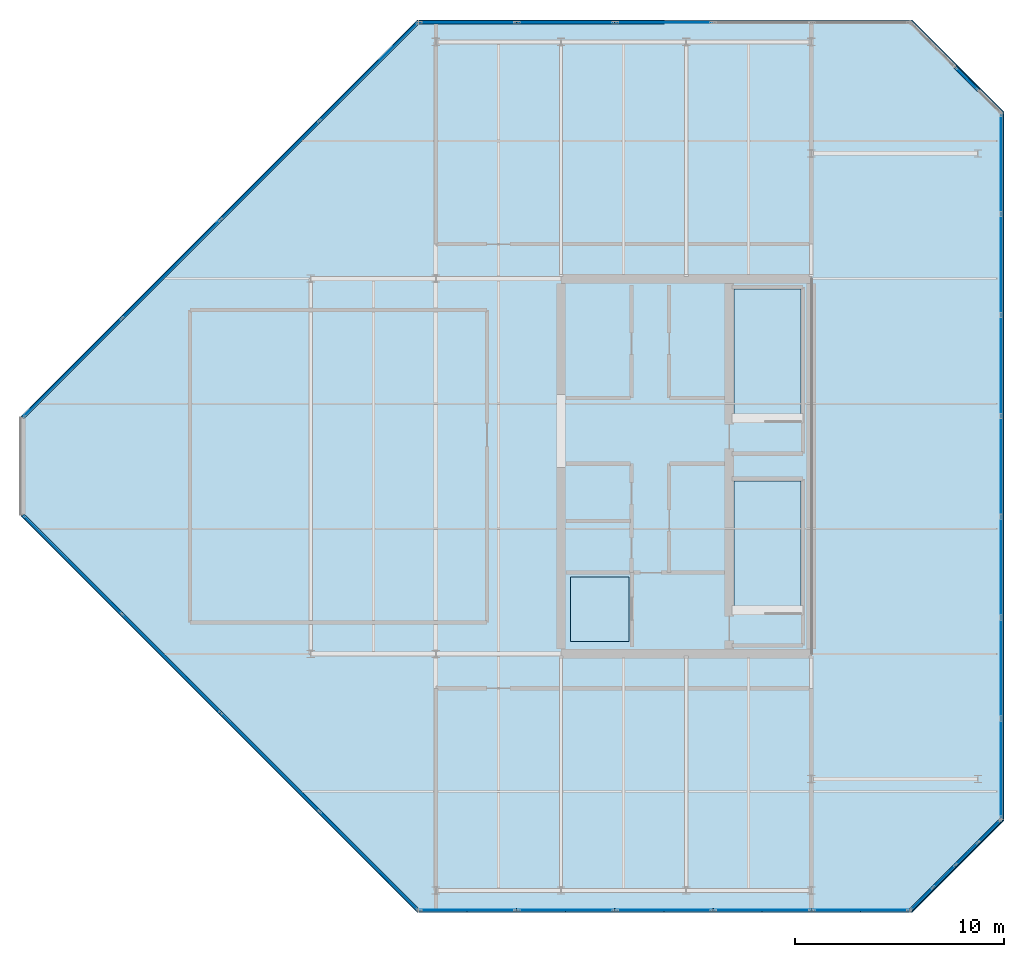
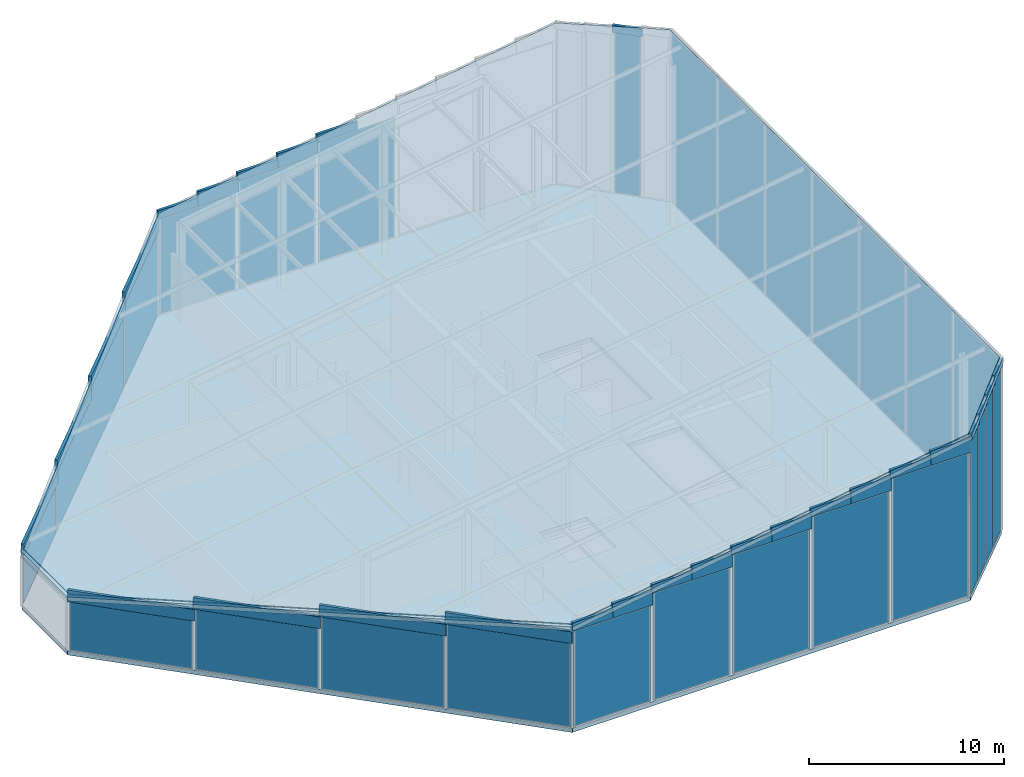
# One storey, part 22 of 30: 57 plates, 2 slabs, 22 elements without a shape of their own.
"""IFC4 building model written with IfcOpenShell, lengths in metres."""

from ifc_helpers import new_model, si_unit, direction, frame, origin, origin_2d, place, context, subcontext, project, spatial, polyline, rectangle, outline, extrude, material, layer, layer_set, type_object, element, aggregate, save


model = new_model("IFC4")

# Units and contexts
model_context = context("Model", 3, precision=1e-05, world=origin(), true_north=direction((0.0, 1.0)))
body_context = subcontext(model_context, "Body", "Model", "MODEL_VIEW")
ifc_project = project(units=[si_unit("LENGTHUNIT", "METRE"), si_unit("AREAUNIT", "SQUARE_METRE"), si_unit("VOLUMEUNIT", "CUBIC_METRE"), si_unit("PLANEANGLEUNIT", "RADIAN"), si_unit("MASSUNIT", "GRAM", prefix="KILO")], contexts=[model_context])

# Site, building, storey
site_placement = place(None, origin())
site = spatial("IfcSite", under=ifc_project, at=site_placement, CompositionType="ELEMENT")
building_placement = place(site_placement, origin())
building = spatial("IfcBuilding", under=site, at=building_placement, Name="Tanjung Sevakor Pilgrim Tower", CompositionType="ELEMENT")
storey_placement = place(building_placement, frame((0.0, 0.0, 287.760009765625)))
storey = spatial("IfcBuildingStorey", under=building, at=storey_placement, Name="L80", CompositionType="ELEMENT", Elevation=287.760009765625)

# Slabs
ifc_material_1 = material(Name="Concrete C40/50", Category="concrete")
ifc_layer_1 = layer(ifc_material_1, 0.280029296875)
ifc_layer_set_1 = layer_set([ifc_layer_1], Name="RF-EPEAK-280")
slab_type_1 = type_object("IfcSlabType", Name="RF-EPEAK-280", PredefinedType="ROOF", material=ifc_layer_set_1)
slab_1_placement = place(storey_placement, frame((71.10009765625, 12.199951171875, 6.425048828125), z_axis=(-0.155212883754, 0.0, 0.987881045833), x_axis=(0.987881045833, 0.0, 0.155212883754)))
element("IfcSlab", 1, at=slab_1_placement, inside=storey, type_object=slab_type_1, Name="East Peak Sloped Crown Roof Slab", PredefinedType="ROOF", context=body_context, shape_type="SweptSolid", body=[
    extrude(outline(polyline([(0.0, 0.0), (23.990688336740035, 0.0), (28.444583623556372, 4.400146484374999), (28.444583623556372, 38.40014648437499), (23.990688336740035, 42.80004882812499), (0.0, 42.80004882812499), (-19.233067002098085, 23.800048828124996), (-19.233067002098085, 18.999999999999996), (0.0, 0.0)])), origin(), (0.0, 0.0, -1.0), 0.280029296875),
])
ifc_material_2 = material(Name="Concrete C40/50", Category="concrete")
ifc_layer_2 = layer(ifc_material_2, 0.260009765625)
ifc_layer_set_2 = layer_set([ifc_layer_2], Name="SL-CRN-260")
slab_type_2 = type_object("IfcSlabType", Name="SL-CRN-260", PredefinedType="FLOOR", material=ifc_layer_set_2)
slab_2_placement = place(storey_placement, frame((0.0, 0.0, -0.260009765625)))
element("IfcSlab", 2, at=slab_2_placement, inside=storey, type_object=slab_type_2, Name="L80 Floor Slab EAST", PredefinedType="FLOOR", context=body_context, shape_type="SweptSolid", body=[
    extrude(outline(polyline([(71.14697265625, 12.280029296875), (94.753173828125, 12.280029296875), (99.1201171875, 16.64697265625), (99.1201171875, 50.552978515625), (94.753173828125, 54.919921875), (71.14697265625, 54.919921875), (52.179931640625, 35.953125), (52.179931640625, 31.246826171875), (71.14697265625, 12.280029296875)]), holes=[polyline([(89.5, 26.60009765625), (89.5, 32.89990234375), (86.300048828125, 32.89990234375), (86.300048828125, 26.60009765625), (89.5, 26.60009765625)]), polyline([(89.5, 35.800048828125), (89.5, 42.10009765625), (86.300048828125, 42.10009765625), (86.300048828125, 35.800048828125), (89.5, 35.800048828125)]), polyline([(78.449951171875, 25.199951171875), (81.25, 25.199951171875), (81.25, 28.300048828125), (78.449951171875, 28.300048828125), (78.449951171875, 25.199951171875)])]), origin(), (0.0, 0.0, 1.0), 0.260009765625),
])

# Plates
ifc_material_3 = material(Name="Laminated Solar-Control Roof Glazing", Category="glass")
ifc_layer_3 = layer(ifc_material_3, 0.044921875)
ifc_layer_set_3 = layer_set([ifc_layer_3], Name="TYPE-CRN-GLZROOF")
plate_type_1 = type_object("IfcPlateType", Name="TYPE-CRN-GLZROOF", PredefinedType="USERDEFINED", material=ifc_layer_set_3)
plate_1_placement = place(storey_placement, frame((72.343994140625, 12.31005859375, 6.10546875), z_axis=(0.0, 0.0, 1.0), x_axis=(1.0, 0.0, 0.0)))
element("IfcPlate", 3, at=plate_1_placement, inside=storey, type_object=plate_type_1, Name="L80 Sloped Glass Gable Panel 0-1-1", ObjectType="ROOF_GLAZING", PredefinedType="USERDEFINED", context=body_context, shape_type="SweptSolid", body=[
    extrude(rectangle(XDim=2.39697265625, YDim=0.159912109375, at=origin_2d()), origin(), (0.0, 0.0, 1.0), 0.53515625),
])
plate_2_placement = place(storey_placement, frame((74.700927734375, 12.31005859375, 6.10546875), z_axis=(0.0, 0.0, 1.0), x_axis=(1.0, 0.0, 0.0)))
element("IfcPlate", 4, at=plate_2_placement, inside=storey, type_object=plate_type_1, Name="L80 Sloped Glass Gable Panel 0-1-2", ObjectType="ROOF_GLAZING", PredefinedType="USERDEFINED", context=body_context, shape_type="SweptSolid", body=[
    extrude(rectangle(XDim=2.39697265625, YDim=0.159912109375, at=origin_2d()), origin(), (0.0, 0.0, 1.0), 0.905517578125),
])
plate_3_placement = place(storey_placement, frame((77.057861328125, 12.31005859375, 6.845947265625), z_axis=(0.0, 0.0, 1.0), x_axis=(1.0, 0.0, 0.0)))
element("IfcPlate", 5, at=plate_3_placement, inside=storey, type_object=plate_type_1, Name="L80 Sloped Glass Gable Panel 0-2-1", ObjectType="ROOF_GLAZING", PredefinedType="USERDEFINED", context=body_context, shape_type="SweptSolid", body=[
    extrude(rectangle(XDim=2.39697265625, YDim=0.159912109375, at=origin_2d()), origin(), (0.0, 0.0, 1.0), 0.53515625),
])
plate_4_placement = place(storey_placement, frame((79.414794921875, 12.31005859375, 6.84619140625), z_axis=(0.0, 0.0, 1.0), x_axis=(1.0, 0.0, 0.0)))
element("IfcPlate", 6, at=plate_4_placement, inside=storey, type_object=plate_type_1, Name="L80 Sloped Glass Gable Panel 0-2-2", ObjectType="ROOF_GLAZING", PredefinedType="USERDEFINED", context=body_context, shape_type="SweptSolid", body=[
    extrude(rectangle(XDim=2.39697265625, YDim=0.159912109375, at=origin_2d()), origin(), (0.0, 0.0, 1.0), 0.905517578125),
])
plate_5_placement = place(storey_placement, frame((81.771484375, 12.31005859375, 7.586669921875), z_axis=(0.0, 0.0, 1.0), x_axis=(1.0, 0.0, 0.0)))
element("IfcPlate", 7, at=plate_5_placement, inside=storey, type_object=plate_type_1, Name="L80 Sloped Glass Gable Panel 0-3-1", ObjectType="ROOF_GLAZING", PredefinedType="USERDEFINED", context=body_context, shape_type="SweptSolid", body=[
    extrude(rectangle(XDim=2.39697265625, YDim=0.159912109375, at=origin_2d()), origin(), (0.0, 0.0, 1.0), 0.53515625),
])
plate_6_placement = place(storey_placement, frame((84.12841796875, 12.31005859375, 7.58642578125), z_axis=(0.0, 0.0, 1.0), x_axis=(1.0, 0.0, 0.0)))
element("IfcPlate", 8, at=plate_6_placement, inside=storey, type_object=plate_type_1, Name="L80 Sloped Glass Gable Panel 0-3-2", ObjectType="ROOF_GLAZING", PredefinedType="USERDEFINED", context=body_context, shape_type="SweptSolid", body=[
    extrude(rectangle(XDim=2.39697265625, YDim=0.159912109375, at=origin_2d()), origin(), (0.0, 0.0, 1.0), 0.905517578125),
])
plate_7_placement = place(storey_placement, frame((86.4853515625, 12.31005859375, 8.3271484375), z_axis=(0.0, 0.0, 1.0), x_axis=(1.0, 0.0, 0.0)))
element("IfcPlate", 9, at=plate_7_placement, inside=storey, type_object=plate_type_1, Name="L80 Sloped Glass Gable Panel 0-4-1", ObjectType="ROOF_GLAZING", PredefinedType="USERDEFINED", context=body_context, shape_type="SweptSolid", body=[
    extrude(rectangle(XDim=2.39697265625, YDim=0.159912109375, at=origin_2d()), origin(), (0.0, 0.0, 1.0), 0.53515625),
])
plate_8_placement = place(storey_placement, frame((88.84228515625, 12.31005859375, 8.3271484375), z_axis=(0.0, 0.0, 1.0), x_axis=(1.0, 0.0, 0.0)))
element("IfcPlate", 10, at=plate_8_placement, inside=storey, type_object=plate_type_1, Name="L80 Sloped Glass Gable Panel 0-4-2", ObjectType="ROOF_GLAZING", PredefinedType="USERDEFINED", context=body_context, shape_type="SweptSolid", body=[
    extrude(rectangle(XDim=2.39697265625, YDim=0.159912109375, at=origin_2d()), origin(), (0.0, 0.0, 1.0), 0.905517578125),
])
plate_9_placement = place(storey_placement, frame((91.19921875, 12.31005859375, 9.06787109375), z_axis=(0.0, 0.0, 1.0), x_axis=(1.0, 0.0, 0.0)))
element("IfcPlate", 11, at=plate_9_placement, inside=storey, type_object=plate_type_1, Name="L80 Sloped Glass Gable Panel 0-5-1", ObjectType="ROOF_GLAZING", PredefinedType="USERDEFINED", context=body_context, shape_type="SweptSolid", body=[
    extrude(rectangle(XDim=2.39697265625, YDim=0.159912109375, at=origin_2d()), origin(), (0.0, 0.0, 1.0), 0.53515625),
])
plate_10_placement = place(storey_placement, frame((93.555908203125, 12.31005859375, 9.06787109375), z_axis=(0.0, 0.0, 1.0), x_axis=(1.0, 0.0, 0.0)))
element("IfcPlate", 12, at=plate_10_placement, inside=storey, type_object=plate_type_1, Name="L80 Sloped Glass Gable Panel 0-5-2", ObjectType="ROOF_GLAZING", PredefinedType="USERDEFINED", context=body_context, shape_type="SweptSolid", body=[
    extrude(rectangle(XDim=2.39697265625, YDim=0.159912109375, at=origin_2d()), origin(), (0.0, 0.0, 1.0), 0.905517578125),
])
for number, where, z_axis, x_axis, name in (
    (13, (95.29638671875, 12.85205078125, 9.801513671875), (0.0, 0.0, 1.0), (0.707106781187, 0.707106781187, 0.0), "L80 Sloped Chamfer Glass Panel 1-1"),
    (14, (96.38037109375, 13.935791015625, 9.9716796875), (0.0, 0.0, 1.0), (0.707106781187, 0.707106781187, 0.0), "L80 Sloped Chamfer Glass Panel 1-2"),
    (15, (97.464111328125, 15.019775390625, 10.14208984375), (0.0, 0.0, 1.0), (0.707106781187, 0.707106781187, 0.0), "L80 Sloped Chamfer Glass Panel 1-3"),
    (16, (98.548095703125, 16.103759765625, 10.312255859375), (0.0, 0.0, 1.0), (0.707106781187, 0.707106781187, 0.0), "L80 Sloped Chamfer Glass Panel 1-4"),
    (17, (97.464111328125, 52.180419921875, 10.14208984375), (0.0, 0.0, 1.0), (-0.707106781187, 0.707106781187, 0.0), "L80 Sloped Chamfer Glass Panel 3-2"),
):
    element("IfcPlate", number, at=place(storey_placement, frame(where, z_axis=z_axis, x_axis=x_axis)), inside=storey, type_object=plate_type_1, Name=name, ObjectType="ROOF_GLAZING", PredefinedType="USERDEFINED", context=body_context, shape_type="SweptSolid", body=[
        extrude(rectangle(XDim=1.593017578125, YDim=0.159912109375, at=origin_2d()), origin(), (0.0, 0.0, 1.0), 0.4453125),
    ])
plate_11_placement = place(storey_placement, frame((81.771484375, 54.889892578125, 7.586669921875), z_axis=(0.0, 0.0, 1.0), x_axis=(-1.0, 0.0, 0.0)))
element("IfcPlate", 18, at=plate_11_placement, inside=storey, type_object=plate_type_1, Name="L80 Sloped Glass Gable Panel 4-3-2", ObjectType="ROOF_GLAZING", PredefinedType="USERDEFINED", context=body_context, shape_type="SweptSolid", body=[
    extrude(rectangle(XDim=2.39697265625, YDim=0.159912109375, at=origin_2d()), origin(), (0.0, 0.0, 1.0), 0.53515625),
])
plate_12_placement = place(storey_placement, frame((79.414794921875, 54.889892578125, 6.84619140625), z_axis=(0.0, 0.0, 1.0), x_axis=(-1.0, 0.0, 0.0)))
element("IfcPlate", 19, at=plate_12_placement, inside=storey, type_object=plate_type_1, Name="L80 Sloped Glass Gable Panel 4-4-1", ObjectType="ROOF_GLAZING", PredefinedType="USERDEFINED", context=body_context, shape_type="SweptSolid", body=[
    extrude(rectangle(XDim=2.39697265625, YDim=0.159912109375, at=origin_2d()), origin(), (0.0, 0.0, 1.0), 0.905517578125),
])
plate_13_placement = place(storey_placement, frame((77.057861328125, 54.889892578125, 6.845947265625), z_axis=(0.0, 0.0, 1.0), x_axis=(-1.0, 0.0, 0.0)))
element("IfcPlate", 20, at=plate_13_placement, inside=storey, type_object=plate_type_1, Name="L80 Sloped Glass Gable Panel 4-4-2", ObjectType="ROOF_GLAZING", PredefinedType="USERDEFINED", context=body_context, shape_type="SweptSolid", body=[
    extrude(rectangle(XDim=2.39697265625, YDim=0.159912109375, at=origin_2d()), origin(), (0.0, 0.0, 1.0), 0.53515625),
])
plate_14_placement = place(storey_placement, frame((74.700927734375, 54.889892578125, 6.10546875), z_axis=(0.0, 0.0, 1.0), x_axis=(-1.0, 0.0, 0.0)))
element("IfcPlate", 21, at=plate_14_placement, inside=storey, type_object=plate_type_1, Name="L80 Sloped Glass Gable Panel 4-5-1", ObjectType="ROOF_GLAZING", PredefinedType="USERDEFINED", context=body_context, shape_type="SweptSolid", body=[
    extrude(rectangle(XDim=2.39697265625, YDim=0.159912109375, at=origin_2d()), origin(), (0.0, 0.0, 1.0), 0.905517578125),
])
plate_15_placement = place(storey_placement, frame((72.343994140625, 54.889892578125, 6.10546875), z_axis=(0.0, 0.0, 1.0), x_axis=(-1.0, 0.0, 0.0)))
element("IfcPlate", 22, at=plate_15_placement, inside=storey, type_object=plate_type_1, Name="L80 Sloped Glass Gable Panel 4-5-2", ObjectType="ROOF_GLAZING", PredefinedType="USERDEFINED", context=body_context, shape_type="SweptSolid", body=[
    extrude(rectangle(XDim=2.39697265625, YDim=0.159912109375, at=origin_2d()), origin(), (0.0, 0.0, 1.0), 0.53515625),
])
for number, where, z_axis, x_axis, name in (
    (23, (68.778564453125, 52.52294921875, 5.348388671875), (0.0, 0.0, 1.0), (-0.707106781187, -0.707106781187, 0.0), "L80 Sloped Chamfer Glass Panel 5-1"),
    (24, (64.044677734375, 47.7890625, 4.604736328125), (0.0, 0.0, 1.0), (-0.707106781187, -0.707106781187, 0.0), "L80 Sloped Chamfer Glass Panel 5-2"),
    (25, (59.310791015625, 43.055419921875, 3.86083984375), (0.0, 0.0, 1.0), (-0.707106781187, -0.707106781187, 0.0), "L80 Sloped Chamfer Glass Panel 5-3"),
    (26, (54.576904296875, 38.3212890625, 3.1171875), (0.0, 0.0, 1.0), (-0.707106781187, -0.707106781187, 0.0), "L80 Sloped Chamfer Glass Panel 5-4"),
    (27, (54.576904296875, 28.878662109375, 3.1171875), (0.0, 0.0, 1.0), (0.707106781187, -0.707106781187, 0.0), "L80 Sloped Chamfer Glass Panel 7-1"),
    (28, (59.310791015625, 24.144775390625, 3.86083984375), (0.0, 0.0, 1.0), (0.707106781187, -0.707106781187, 0.0), "L80 Sloped Chamfer Glass Panel 7-2"),
    (29, (64.044677734375, 19.410888671875, 4.604736328125), (0.0, 0.0, 1.0), (0.707106781187, -0.707106781187, 0.0), "L80 Sloped Chamfer Glass Panel 7-3"),
    (30, (68.778564453125, 14.677001953125, 5.348388671875), (0.0, 0.0, 1.0), (0.707106781187, -0.707106781187, 0.0), "L80 Sloped Chamfer Glass Panel 7-4"),
):
    element("IfcPlate", number, at=place(storey_placement, frame(where, z_axis=z_axis, x_axis=x_axis)), inside=storey, type_object=plate_type_1, Name=name, ObjectType="ROOF_GLAZING", PredefinedType="USERDEFINED", context=body_context, shape_type="SweptSolid", body=[
        extrude(rectangle(XDim=6.754638671875, YDim=0.159912109375, at=origin_2d()), origin(), (0.0, 0.0, 1.0), 0.73193359375),
    ])
plate_16_placement = place(storey_placement, frame((71.174560546875, 12.3798828125, 6.48193359375), z_axis=(-0.155208107045, 0.0, 0.987881796324), x_axis=(0.987881796324, 0.0, 0.155208107045)))
element("IfcPlate", 31, at=plate_16_placement, inside=storey, type_object=plate_type_1, Name="East Peak Closed Sloped Glass Crown Roof", ObjectType="ROOF_GLAZING", PredefinedType="USERDEFINED", context=body_context, shape_type="SweptSolid", body=[
    extrude(outline(polyline([(0.0, 0.0), (23.839650503619392, 0.0), (28.187019616656627, 4.294677734375), (28.187019616656627, 38.1455078125), (23.839650503619392, 42.440185546875), (0.0, 42.440185546875), (-19.126337539731907, 23.54541015625), (-19.126337539731907, 18.894775390625), (0.0, 0.0)])), origin(), (0.0, 0.0, -1.0), 0.044921875),
])

# Curtain wall, plate
ifc_material_4 = material(Name="Aluminium 6063-T6 and Low-E Glass", Category="aluminium")
ifc_layer_4 = layer(ifc_material_4, 0.219970703125)
ifc_layer_set_4 = layer_set([ifc_layer_4], Name="CW-SYS-CRNE")
curtain_wall_type_1 = type_object("IfcCurtainWallType", Name="CW-SYS-CRNE", PredefinedType="NOTDEFINED", material=ifc_layer_set_4)
curtain_wall_1_placement = place(storey_placement, origin())
curtain_wall_1 = element("IfcCurtainWall", 32, at=curtain_wall_1_placement, inside=storey, type_object=curtain_wall_type_1, Name="L80 Curtain Wall CW-CRN-L80-EAST-0-1B1", PredefinedType="NOTDEFINED")
ifc_material_5 = material(Name="Laminated Low-E Double Glazing", Category="glass")
ifc_layer_5 = layer(ifc_material_5, 0.028076171875)
ifc_layer_set_5 = layer_set([ifc_layer_5], Name="TYPE-CWP-GLZ1")
plate_type_2 = type_object("IfcPlateType", Name="TYPE-CWP-GLZ1", PredefinedType="CURTAIN_PANEL", material=ifc_layer_set_5)
plate_17_placement = place(storey_placement, frame((73.5224609375, 12.31005859375, 0.080078125), z_axis=(0.0, 0.0, 1.0), x_axis=(1.0, 0.0, 0.0)))
plate_17 = element("IfcPlate", 33, at=plate_17_placement, type_object=plate_type_2, Name="CW-CRE panel 1.1", PredefinedType="CURTAIN_PANEL", context=body_context, shape_type="SweptSolid", body=[
    extrude(rectangle(XDim=4.5537109375, YDim=0.028076171875, at=origin_2d()), origin(), (0.0, 0.0, 1.0), 5.995361328125),
])
aggregate(curtain_wall_1, [plate_17])

curtain_wall_2_placement = place(storey_placement, origin())
curtain_wall_2 = element("IfcCurtainWall", 34, at=curtain_wall_2_placement, inside=storey, type_object=curtain_wall_type_1, Name="L80 Curtain Wall CW-CRN-L80-EAST-0-1B2", PredefinedType="NOTDEFINED")
plate_18_placement = place(storey_placement, frame((78.236328125, 12.31005859375, 0.080078125), z_axis=(0.0, 0.0, 1.0), x_axis=(1.0, 0.0, 0.0)))
plate_18 = element("IfcPlate", 35, at=plate_18_placement, type_object=plate_type_2, Name="CW-CRE panel 1.1", PredefinedType="CURTAIN_PANEL", context=body_context, shape_type="SweptSolid", body=[
    extrude(rectangle(XDim=4.5537109375, YDim=0.028076171875, at=origin_2d()), origin(), (0.0, 0.0, 1.0), 6.736083984375),
])
aggregate(curtain_wall_2, [plate_18])

curtain_wall_3_placement = place(storey_placement, origin())
curtain_wall_3 = element("IfcCurtainWall", 36, at=curtain_wall_3_placement, inside=storey, type_object=curtain_wall_type_1, Name="L80 Curtain Wall CW-CRN-L80-EAST-0-1B3", PredefinedType="NOTDEFINED")
plate_19_placement = place(storey_placement, frame((82.949951171875, 12.31005859375, 0.080078125), z_axis=(0.0, 0.0, 1.0), x_axis=(1.0, 0.0, 0.0)))
plate_19 = element("IfcPlate", 37, at=plate_19_placement, type_object=plate_type_2, Name="CW-CRE panel 1.1", PredefinedType="CURTAIN_PANEL", context=body_context, shape_type="SweptSolid", body=[
    extrude(rectangle(XDim=4.5537109375, YDim=0.028076171875, at=origin_2d()), origin(), (0.0, 0.0, 1.0), 7.4765625),
])
aggregate(curtain_wall_3, [plate_19])

curtain_wall_4_placement = place(storey_placement, origin())
curtain_wall_4 = element("IfcCurtainWall", 38, at=curtain_wall_4_placement, inside=storey, type_object=curtain_wall_type_1, Name="L80 Curtain Wall CW-CRN-L80-EAST-0-1B4", PredefinedType="NOTDEFINED")
plate_20_placement = place(storey_placement, frame((87.663818359375, 12.31005859375, 0.079833984375), z_axis=(0.0, 0.0, 1.0), x_axis=(1.0, 0.0, 0.0)))
plate_20 = element("IfcPlate", 39, at=plate_20_placement, type_object=plate_type_2, Name="CW-CRE panel 1.1", PredefinedType="CURTAIN_PANEL", context=body_context, shape_type="SweptSolid", body=[
    extrude(rectangle(XDim=4.5537109375, YDim=0.028076171875, at=origin_2d()), origin(), (0.0, 0.0, 1.0), 8.21728515625),
])
aggregate(curtain_wall_4, [plate_20])

curtain_wall_5_placement = place(storey_placement, origin())
curtain_wall_5 = element("IfcCurtainWall", 40, at=curtain_wall_5_placement, inside=storey, type_object=curtain_wall_type_1, Name="L80 Curtain Wall CW-CRN-L80-EAST-0-1B5", PredefinedType="NOTDEFINED")
plate_21_placement = place(storey_placement, frame((92.37744140625, 12.31005859375, 0.080078125), z_axis=(0.0, 0.0, 1.0), x_axis=(1.0, 0.0, 0.0)))
plate_21 = element("IfcPlate", 41, at=plate_21_placement, type_object=plate_type_2, Name="CW-CRE panel 1.1", PredefinedType="CURTAIN_PANEL", context=body_context, shape_type="SweptSolid", body=[
    extrude(rectangle(XDim=4.5537109375, YDim=0.028076171875, at=origin_2d()), origin(), (0.0, 0.0, 1.0), 8.957763671875),
])
aggregate(curtain_wall_5, [plate_21])

ifc_material_6 = material(Name="Aluminium 6063-T6 and Low-E Glass", Category="aluminium")
ifc_layer_6 = layer(ifc_material_6, 0.179931640625)
ifc_layer_set_6 = layer_set([ifc_layer_6], Name="CW-SYS-CHAM")
curtain_wall_type_2 = type_object("IfcCurtainWallType", Name="CW-SYS-CHAM", PredefinedType="NOTDEFINED", material=ifc_layer_set_6)
curtain_wall_6_placement = place(storey_placement, origin())
curtain_wall_6 = element("IfcCurtainWall", 42, at=curtain_wall_6_placement, inside=storey, type_object=curtain_wall_type_2, Name="L80 Curtain Wall CW-CHM-L80-EAST-1B1", PredefinedType="NOTDEFINED")
plate_22_placement = place(storey_placement, frame((95.29638671875, 12.85205078125, 0.06494140625), z_axis=(0.0, 0.0, 1.0), x_axis=(0.707106781187, 0.707106781187, 0.0)))
plate_22 = element("IfcPlate", 43, at=plate_22_placement, type_object=plate_type_2, Name="CW-CHM panel 1.1", PredefinedType="CURTAIN_PANEL", context=body_context, shape_type="SweptSolid", body=[
    extrude(rectangle(XDim=1.40283203125, YDim=0.028076171875, at=origin_2d()), origin(), (0.0, 0.0, 1.0), 9.7314453125),
])
aggregate(curtain_wall_6, [plate_22])

curtain_wall_7_placement = place(storey_placement, origin())
curtain_wall_7 = element("IfcCurtainWall", 44, at=curtain_wall_7_placement, inside=storey, type_object=curtain_wall_type_2, Name="L80 Curtain Wall CW-CHM-L80-EAST-1B2", PredefinedType="NOTDEFINED")
plate_23_placement = place(storey_placement, frame((96.38037109375, 13.935791015625, 0.06494140625), z_axis=(0.0, 0.0, 1.0), x_axis=(0.707106781187, 0.707106781187, 0.0)))
plate_23 = element("IfcPlate", 45, at=plate_23_placement, type_object=plate_type_2, Name="CW-CHM panel 1.1", PredefinedType="CURTAIN_PANEL", context=body_context, shape_type="SweptSolid", body=[
    extrude(rectangle(XDim=1.40283203125, YDim=0.028076171875, at=origin_2d()), origin(), (0.0, 0.0, 1.0), 9.90185546875),
])
aggregate(curtain_wall_7, [plate_23])

curtain_wall_8_placement = place(storey_placement, origin())
curtain_wall_8 = element("IfcCurtainWall", 46, at=curtain_wall_8_placement, inside=storey, type_object=curtain_wall_type_2, Name="L80 Curtain Wall CW-CHM-L80-EAST-1B3", PredefinedType="NOTDEFINED")
plate_24_placement = place(storey_placement, frame((97.464111328125, 15.019775390625, 0.06494140625), z_axis=(0.0, 0.0, 1.0), x_axis=(0.707106781187, 0.707106781187, 0.0)))
plate_24 = element("IfcPlate", 47, at=plate_24_placement, type_object=plate_type_2, Name="CW-CHM panel 1.1", PredefinedType="CURTAIN_PANEL", context=body_context, shape_type="SweptSolid", body=[
    extrude(rectangle(XDim=1.40283203125, YDim=0.028076171875, at=origin_2d()), origin(), (0.0, 0.0, 1.0), 10.072021484375),
])
aggregate(curtain_wall_8, [plate_24])

curtain_wall_9_placement = place(storey_placement, origin())
curtain_wall_9 = element("IfcCurtainWall", 48, at=curtain_wall_9_placement, inside=storey, type_object=curtain_wall_type_2, Name="L80 Curtain Wall CW-CHM-L80-EAST-1B4", PredefinedType="NOTDEFINED")
plate_25_placement = place(storey_placement, frame((98.548095703125, 16.103759765625, 0.06494140625), z_axis=(0.0, 0.0, 1.0), x_axis=(0.707106781187, 0.707106781187, 0.0)))
plate_25 = element("IfcPlate", 49, at=plate_25_placement, type_object=plate_type_2, Name="CW-CHM panel 1.1", PredefinedType="CURTAIN_PANEL", context=body_context, shape_type="SweptSolid", body=[
    extrude(rectangle(XDim=1.40283203125, YDim=0.028076171875, at=origin_2d()), origin(), (0.0, 0.0, 1.0), 10.242431640625),
])
aggregate(curtain_wall_9, [plate_25])

# Curtain wall, plates
curtain_wall_10_placement = place(storey_placement, origin())
curtain_wall_10 = element("IfcCurtainWall", 50, at=curtain_wall_10_placement, inside=storey, type_object=curtain_wall_type_1, Name="L80 Curtain Wall CW-CRN-L80-EAST-2-1", PredefinedType="NOTDEFINED")
plate_26_placement = place(storey_placement, frame((99.090087890625, 19.104736328125, 0.080078125), z_axis=(0.0, 0.0, 1.0), x_axis=(0.0, 1.0, 0.0)))
plate_26 = element("IfcPlate", 51, at=plate_26_placement, type_object=plate_type_2, Name="CW-CRE panel 1.1", PredefinedType="CURTAIN_PANEL", context=body_context, shape_type="SweptSolid", body=[
    extrude(rectangle(XDim=4.718505859375, YDim=0.028076171875, at=origin_2d()), origin(), (0.0, 0.0, 1.0), 10.66259765625),
])
plate_27_placement = place(storey_placement, frame((99.090087890625, 23.923095703125, 0.080078125), z_axis=(0.0, 0.0, 1.0), x_axis=(0.0, 1.0, 0.0)))
plate_27 = element("IfcPlate", 52, at=plate_27_placement, type_object=plate_type_2, Name="CW-CRE panel 2.1", PredefinedType="CURTAIN_PANEL", context=body_context, shape_type="SweptSolid", body=[
    extrude(rectangle(XDim=4.75830078125, YDim=0.028076171875, at=origin_2d()), origin(), (0.0, 0.0, 1.0), 10.66259765625),
])
plate_28_placement = place(storey_placement, frame((99.090087890625, 28.76171875, 0.080078125), z_axis=(0.0, 0.0, 1.0), x_axis=(0.0, 1.0, 0.0)))
plate_28 = element("IfcPlate", 53, at=plate_28_placement, type_object=plate_type_2, Name="CW-CRE panel 3.1", PredefinedType="CURTAIN_PANEL", context=body_context, shape_type="SweptSolid", body=[
    extrude(rectangle(XDim=4.75830078125, YDim=0.028076171875, at=origin_2d()), origin(), (0.0, 0.0, 1.0), 10.66259765625),
])
plate_29_placement = place(storey_placement, frame((99.090087890625, 33.60009765625, 0.080078125), z_axis=(0.0, 0.0, 1.0), x_axis=(0.0, 1.0, 0.0)))
plate_29 = element("IfcPlate", 54, at=plate_29_placement, type_object=plate_type_2, Name="CW-CRE panel 4.1", PredefinedType="CURTAIN_PANEL", context=body_context, shape_type="SweptSolid", body=[
    extrude(rectangle(XDim=4.75830078125, YDim=0.028076171875, at=origin_2d()), origin(), (0.0, 0.0, 1.0), 10.66259765625),
])
plate_30_placement = place(storey_placement, frame((99.090087890625, 38.4384765625, 0.080078125), z_axis=(0.0, 0.0, 1.0), x_axis=(0.0, 1.0, 0.0)))
plate_30 = element("IfcPlate", 55, at=plate_30_placement, type_object=plate_type_2, Name="CW-CRE panel 5.1", PredefinedType="CURTAIN_PANEL", context=body_context, shape_type="SweptSolid", body=[
    extrude(rectangle(XDim=4.75830078125, YDim=0.028076171875, at=origin_2d()), origin(), (0.0, 0.0, 1.0), 10.66259765625),
])
plate_31_placement = place(storey_placement, frame((99.090087890625, 43.27685546875, 0.080078125), z_axis=(0.0, 0.0, 1.0), x_axis=(0.0, 1.0, 0.0)))
plate_31 = element("IfcPlate", 56, at=plate_31_placement, type_object=plate_type_2, Name="CW-CRE panel 6.1", PredefinedType="CURTAIN_PANEL", context=body_context, shape_type="SweptSolid", body=[
    extrude(rectangle(XDim=4.75830078125, YDim=0.028076171875, at=origin_2d()), origin(), (0.0, 0.0, 1.0), 10.66259765625),
])
plate_32_placement = place(storey_placement, frame((99.090087890625, 48.09521484375, 0.080078125), z_axis=(0.0, 0.0, 1.0), x_axis=(0.0, 1.0, 0.0)))
plate_32 = element("IfcPlate", 57, at=plate_32_placement, type_object=plate_type_2, Name="CW-CRE panel 7.1", PredefinedType="CURTAIN_PANEL", context=body_context, shape_type="SweptSolid", body=[
    extrude(rectangle(XDim=4.718505859375, YDim=0.028076171875, at=origin_2d()), origin(), (0.0, 0.0, 1.0), 10.66259765625),
])
aggregate(curtain_wall_10, [plate_26, plate_27, plate_28, plate_29, plate_30, plate_31, plate_32])

# Curtain wall, plate
curtain_wall_11_placement = place(storey_placement, origin())
curtain_wall_11 = element("IfcCurtainWall", 58, at=curtain_wall_11_placement, inside=storey, type_object=curtain_wall_type_2, Name="L80 Curtain Wall CW-CHM-L80-EAST-3B2", PredefinedType="NOTDEFINED")
plate_33_placement = place(storey_placement, frame((97.464111328125, 52.18017578125, 0.06494140625), z_axis=(0.0, 0.0, 1.0), x_axis=(-0.707106781187, 0.707106781187, 0.0)))
plate_33 = element("IfcPlate", 59, at=plate_33_placement, type_object=plate_type_2, Name="CW-CHM panel 1.1", PredefinedType="CURTAIN_PANEL", context=body_context, shape_type="SweptSolid", body=[
    extrude(rectangle(XDim=1.40283203125, YDim=0.028076171875, at=origin_2d()), origin(), (0.0, 0.0, 1.0), 10.072021484375),
])
aggregate(curtain_wall_11, [plate_33])

curtain_wall_12_placement = place(storey_placement, origin())
curtain_wall_12 = element("IfcCurtainWall", 60, at=curtain_wall_12_placement, inside=storey, type_object=curtain_wall_type_1, Name="L80 Curtain Wall CW-CRN-L80-EAST-4-1B3", PredefinedType="NOTDEFINED")
plate_34_placement = place(storey_placement, frame((82.949951171875, 54.889892578125, 0.080078125), z_axis=(0.0, 0.0, 1.0), x_axis=(-1.0, 0.0, 0.0)))
plate_34 = element("IfcPlate", 61, at=plate_34_placement, type_object=plate_type_2, Name="CW-CRE panel 1.1", PredefinedType="CURTAIN_PANEL", context=body_context, shape_type="SweptSolid", body=[
    extrude(rectangle(XDim=4.5537109375, YDim=0.028076171875, at=origin_2d()), origin(), (0.0, 0.0, 1.0), 7.4765625),
])
aggregate(curtain_wall_12, [plate_34])

curtain_wall_13_placement = place(storey_placement, origin())
curtain_wall_13 = element("IfcCurtainWall", 62, at=curtain_wall_13_placement, inside=storey, type_object=curtain_wall_type_1, Name="L80 Curtain Wall CW-CRN-L80-EAST-4-1B4", PredefinedType="NOTDEFINED")
plate_35_placement = place(storey_placement, frame((78.236328125, 54.889892578125, 0.080078125), z_axis=(0.0, 0.0, 1.0), x_axis=(-1.0, 0.0, 0.0)))
plate_35 = element("IfcPlate", 63, at=plate_35_placement, type_object=plate_type_2, Name="CW-CRE panel 1.1", PredefinedType="CURTAIN_PANEL", context=body_context, shape_type="SweptSolid", body=[
    extrude(rectangle(XDim=4.5537109375, YDim=0.028076171875, at=origin_2d()), origin(), (0.0, 0.0, 1.0), 6.736083984375),
])
aggregate(curtain_wall_13, [plate_35])

curtain_wall_14_placement = place(storey_placement, origin())
curtain_wall_14 = element("IfcCurtainWall", 64, at=curtain_wall_14_placement, inside=storey, type_object=curtain_wall_type_1, Name="L80 Curtain Wall CW-CRN-L80-EAST-4-1B5", PredefinedType="NOTDEFINED")
plate_36_placement = place(storey_placement, frame((73.5224609375, 54.889892578125, 0.080078125), z_axis=(0.0, 0.0, 1.0), x_axis=(-1.0, 0.0, 0.0)))
plate_36 = element("IfcPlate", 65, at=plate_36_placement, type_object=plate_type_2, Name="CW-CRE panel 1.1", PredefinedType="CURTAIN_PANEL", context=body_context, shape_type="SweptSolid", body=[
    extrude(rectangle(XDim=4.5537109375, YDim=0.028076171875, at=origin_2d()), origin(), (0.0, 0.0, 1.0), 5.995361328125),
])
aggregate(curtain_wall_14, [plate_36])

curtain_wall_15_placement = place(storey_placement, origin())
curtain_wall_15 = element("IfcCurtainWall", 66, at=curtain_wall_15_placement, inside=storey, type_object=curtain_wall_type_2, Name="L80 Curtain Wall CW-CHM-L80-EAST-5B1", PredefinedType="NOTDEFINED")
plate_37_placement = place(storey_placement, frame((68.778564453125, 52.52294921875, 0.06494140625), z_axis=(0.0, 0.0, 1.0), x_axis=(-0.707106781187, -0.707106781187, 0.0)))
plate_37 = element("IfcPlate", 67, at=plate_37_placement, type_object=plate_type_2, Name="CW-CHM panel 1.1", PredefinedType="CURTAIN_PANEL", context=body_context, shape_type="SweptSolid", body=[
    extrude(rectangle(XDim=6.564697265625, YDim=0.028076171875, at=origin_2d()), origin(), (0.0, 0.0, 1.0), 5.278564453125),
])
aggregate(curtain_wall_15, [plate_37])

curtain_wall_16_placement = place(storey_placement, origin())
curtain_wall_16 = element("IfcCurtainWall", 68, at=curtain_wall_16_placement, inside=storey, type_object=curtain_wall_type_2, Name="L80 Curtain Wall CW-CHM-L80-EAST-5B2", PredefinedType="NOTDEFINED")
plate_38_placement = place(storey_placement, frame((64.044677734375, 47.7890625, 0.06494140625), z_axis=(0.0, 0.0, 1.0), x_axis=(-0.707106781187, -0.707106781187, 0.0)))
plate_38 = element("IfcPlate", 69, at=plate_38_placement, type_object=plate_type_2, Name="CW-CHM panel 1.1", PredefinedType="CURTAIN_PANEL", context=body_context, shape_type="SweptSolid", body=[
    extrude(rectangle(XDim=6.564697265625, YDim=0.028076171875, at=origin_2d()), origin(), (0.0, 0.0, 1.0), 4.534912109375),
])
aggregate(curtain_wall_16, [plate_38])

curtain_wall_17_placement = place(storey_placement, origin())
curtain_wall_17 = element("IfcCurtainWall", 70, at=curtain_wall_17_placement, inside=storey, type_object=curtain_wall_type_2, Name="L80 Curtain Wall CW-CHM-L80-EAST-5B3", PredefinedType="NOTDEFINED")
plate_39_placement = place(storey_placement, frame((59.310791015625, 43.05517578125, 0.06494140625), z_axis=(0.0, 0.0, 1.0), x_axis=(-0.707106781187, -0.707106781187, 0.0)))
plate_39 = element("IfcPlate", 71, at=plate_39_placement, type_object=plate_type_2, Name="CW-CHM panel 1.1", PredefinedType="CURTAIN_PANEL", context=body_context, shape_type="SweptSolid", body=[
    extrude(rectangle(XDim=6.564697265625, YDim=0.028076171875, at=origin_2d()), origin(), (0.0, 0.0, 1.0), 3.791015625),
])
aggregate(curtain_wall_17, [plate_39])

curtain_wall_18_placement = place(storey_placement, origin())
curtain_wall_18 = element("IfcCurtainWall", 72, at=curtain_wall_18_placement, inside=storey, type_object=curtain_wall_type_2, Name="L80 Curtain Wall CW-CHM-L80-EAST-5B4", PredefinedType="NOTDEFINED")
plate_40_placement = place(storey_placement, frame((54.576904296875, 38.3212890625, 0.06494140625), z_axis=(0.0, 0.0, 1.0), x_axis=(-0.707106781187, -0.707106781187, 0.0)))
plate_40 = element("IfcPlate", 73, at=plate_40_placement, type_object=plate_type_2, Name="CW-CHM panel 1.1", PredefinedType="CURTAIN_PANEL", context=body_context, shape_type="SweptSolid", body=[
    extrude(rectangle(XDim=6.564697265625, YDim=0.028076171875, at=origin_2d()), origin(), (0.0, 0.0, 1.0), 3.04736328125),
])
aggregate(curtain_wall_18, [plate_40])

curtain_wall_19_placement = place(storey_placement, origin())
curtain_wall_19 = element("IfcCurtainWall", 74, at=curtain_wall_19_placement, inside=storey, type_object=curtain_wall_type_2, Name="L80 Curtain Wall CW-CHM-L80-EAST-7B1", PredefinedType="NOTDEFINED")
plate_41_placement = place(storey_placement, frame((54.576904296875, 28.878662109375, 0.06494140625), z_axis=(0.0, 0.0, 1.0), x_axis=(0.707106781187, -0.707106781187, 0.0)))
plate_41 = element("IfcPlate", 75, at=plate_41_placement, type_object=plate_type_2, Name="CW-CHM panel 1.1", PredefinedType="CURTAIN_PANEL", context=body_context, shape_type="SweptSolid", body=[
    extrude(rectangle(XDim=6.564697265625, YDim=0.028076171875, at=origin_2d()), origin(), (0.0, 0.0, 1.0), 3.04736328125),
])
aggregate(curtain_wall_19, [plate_41])

curtain_wall_20_placement = place(storey_placement, origin())
curtain_wall_20 = element("IfcCurtainWall", 76, at=curtain_wall_20_placement, inside=storey, type_object=curtain_wall_type_2, Name="L80 Curtain Wall CW-CHM-L80-EAST-7B2", PredefinedType="NOTDEFINED")
plate_42_placement = place(storey_placement, frame((59.310791015625, 24.144775390625, 0.06494140625), z_axis=(0.0, 0.0, 1.0), x_axis=(0.707106781187, -0.707106781187, 0.0)))
plate_42 = element("IfcPlate", 77, at=plate_42_placement, type_object=plate_type_2, Name="CW-CHM panel 1.1", PredefinedType="CURTAIN_PANEL", context=body_context, shape_type="SweptSolid", body=[
    extrude(rectangle(XDim=6.564697265625, YDim=0.028076171875, at=origin_2d()), origin(), (0.0, 0.0, 1.0), 3.791015625),
])
aggregate(curtain_wall_20, [plate_42])

curtain_wall_21_placement = place(storey_placement, origin())
curtain_wall_21 = element("IfcCurtainWall", 78, at=curtain_wall_21_placement, inside=storey, type_object=curtain_wall_type_2, Name="L80 Curtain Wall CW-CHM-L80-EAST-7B3", PredefinedType="NOTDEFINED")
plate_43_placement = place(storey_placement, frame((64.044677734375, 19.410888671875, 0.06494140625), z_axis=(0.0, 0.0, 1.0), x_axis=(0.707106781187, -0.707106781187, 0.0)))
plate_43 = element("IfcPlate", 79, at=plate_43_placement, type_object=plate_type_2, Name="CW-CHM panel 1.1", PredefinedType="CURTAIN_PANEL", context=body_context, shape_type="SweptSolid", body=[
    extrude(rectangle(XDim=6.564697265625, YDim=0.028076171875, at=origin_2d()), origin(), (0.0, 0.0, 1.0), 4.534912109375),
])
aggregate(curtain_wall_21, [plate_43])

curtain_wall_22_placement = place(storey_placement, origin())
curtain_wall_22 = element("IfcCurtainWall", 80, at=curtain_wall_22_placement, inside=storey, type_object=curtain_wall_type_2, Name="L80 Curtain Wall CW-CHM-L80-EAST-7B4", PredefinedType="NOTDEFINED")
plate_44_placement = place(storey_placement, frame((68.778564453125, 14.677001953125, 0.06494140625), z_axis=(0.0, 0.0, 1.0), x_axis=(0.707106781187, -0.707106781187, 0.0)))
plate_44 = element("IfcPlate", 81, at=plate_44_placement, type_object=plate_type_2, Name="CW-CHM panel 1.1", PredefinedType="CURTAIN_PANEL", context=body_context, shape_type="SweptSolid", body=[
    extrude(rectangle(XDim=6.564697265625, YDim=0.028076171875, at=origin_2d()), origin(), (0.0, 0.0, 1.0), 5.278564453125),
])
aggregate(curtain_wall_22, [plate_44])

save(model, "model.ifc")
